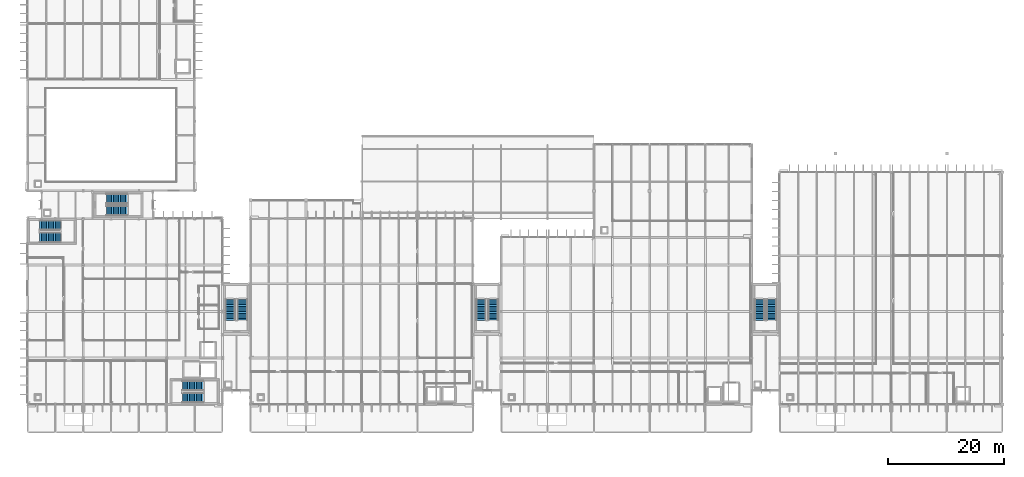
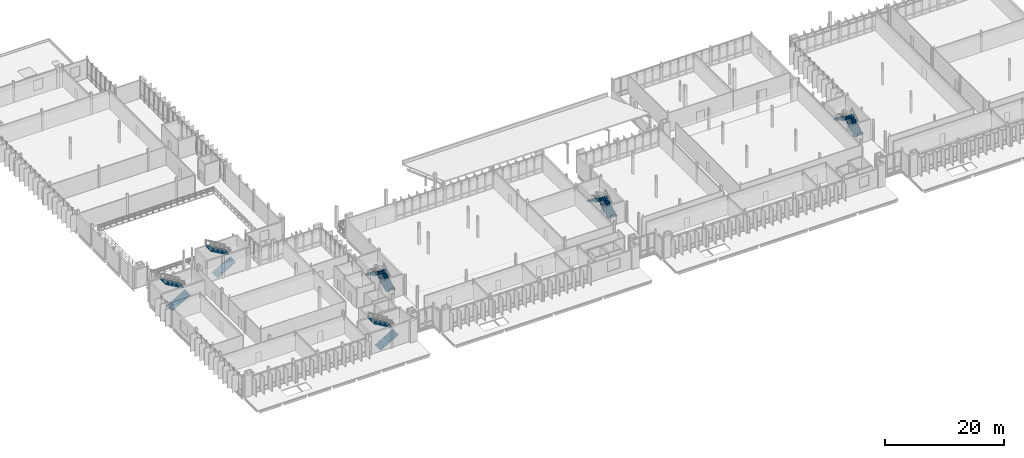
# One storey, part 67 of 107: 12 stair flights, 6 elements without a shape of their own.
"""IFC4 building model written with IfcOpenShell, lengths in metres."""

from ifc_helpers import new_model, si_unit, direction, frame, origin, place, context, subcontext, project, spatial, polyline, outline, extrude, material, type_object, element, aggregate, save


model = new_model("IFC4")

# Units and contexts
model_context = context("Model", 3, precision=1e-05, world=origin(), true_north=direction((0.0, 1.0)))
body_context = subcontext(model_context, "Body", "Model", "MODEL_VIEW")
ifc_project = project(units=[si_unit("LENGTHUNIT", "METRE"), si_unit("AREAUNIT", "SQUARE_METRE"), si_unit("VOLUMEUNIT", "CUBIC_METRE"), si_unit("PLANEANGLEUNIT", "RADIAN"), si_unit("MASSUNIT", "GRAM", prefix="KILO")], contexts=[model_context])

# Site, building, storey
site_placement = place(None, origin())
site = spatial("IfcSite", under=ifc_project, at=site_placement, CompositionType="ELEMENT")
building_placement = place(site_placement, origin())
building = spatial("IfcBuilding", under=site, at=building_placement, Name="Dunescarp Central Library", CompositionType="ELEMENT")
storey_placement = place(building_placement, frame((0.0, 0.0, 5.10009765625)))
storey = spatial("IfcBuildingStorey", under=building, at=storey_placement, Name="L01", CompositionType="ELEMENT", Elevation=5.10009765625)

# Stair, stair flights
ifc_material = material(Name="Concrete C35/45", Category="concrete")
stair_type = type_object("IfcStairType", Name="ARC-STR-TYP", PredefinedType="HALF_TURN_STAIR", material=ifc_material)
stair_1_placement = place(storey_placement, origin())
stair_1 = element("IfcStair", 1, at=stair_1_placement, inside=storey, type_object=stair_type, Name="L01 Protected escape stair ST-1", PredefinedType="HALF_TURN_STAIR")
stair_flight_type = type_object("IfcStairFlightType", Name="ARC-FLT-TYP", PredefinedType="STRAIGHT", material=ifc_material)
stair_flight_1_placement = place(storey_placement, frame((26.699951171875, 5.9599609375, 0.0), z_axis=(0.0, 0.0, 1.0), x_axis=(1.0, 0.0, 0.0)))
stair_flight_1 = element("IfcStairFlight", 2, at=stair_flight_1_placement, type_object=stair_flight_type, Name="ST-1 flight 1", NumberOfRisers=13, NumberOfTreads=12, PredefinedType="STRAIGHT", RiserHeight=0.173076923, TreadLength=0.3, context=body_context, shape_type="SweptSolid", body=[
    extrude(outline(polyline([(0.0, 0.0), (0.0, 0.173095703125), (0.300048828125, 0.173095703125), (0.300048828125, 0.34619140625), (0.60009765625, 0.34619140625), (0.60009765625, 0.519287109375), (0.89990234375, 0.519287109375), (0.89990234375, 0.6923828125), (1.199951171875, 0.6923828125), (1.199951171875, 0.865478515625), (1.5, 0.865478515625), (1.5, 1.03857421875), (1.800048828125, 1.03857421875), (1.800048828125, 1.21142578125), (2.10009765625, 1.21142578125), (2.10009765625, 1.384521484375), (2.39990234375, 1.384521484375), (2.39990234375, 1.5576171875), (2.699951171875, 1.5576171875), (2.699951171875, 1.730712890625), (3.0, 1.730712890625), (3.0, 1.90380859375), (3.300048828125, 1.90380859375), (3.300048828125, 2.076904296875), (3.60009765625, 2.076904296875), (3.60009765625, 2.25), (3.60009765625, 1.869140625), (0.360107421875, 0.0), (0.0, 0.0)])), frame((0.0, 0.85986328125, 0.0), z_axis=(0.0, -1.0, 0.0), x_axis=(1.0, 0.0, 0.0)), (0.0, 0.0, 1.0), 1.719970703125),
])
stair_flight_2_placement = place(storey_placement, frame((30.300048828125, 8.0400390625, 2.25), z_axis=(0.0, 0.0, 1.0), x_axis=(-1.0, 0.0, 0.0)))
stair_flight_2 = element("IfcStairFlight", 3, at=stair_flight_2_placement, type_object=stair_flight_type, Name="ST-1 flight 2", NumberOfRisers=13, NumberOfTreads=12, PredefinedType="STRAIGHT", RiserHeight=0.173076923, TreadLength=0.3, context=body_context, shape_type="SweptSolid", body=[
    extrude(outline(polyline([(0.0, 0.0), (0.0, 0.173095703125), (0.300048828125, 0.173095703125), (0.300048828125, 0.34619140625), (0.60009765625, 0.34619140625), (0.60009765625, 0.519287109375), (0.89990234375, 0.519287109375), (0.89990234375, 0.6923828125), (1.199951171875, 0.6923828125), (1.199951171875, 0.865478515625), (1.5, 0.865478515625), (1.5, 1.03857421875), (1.800048828125, 1.03857421875), (1.800048828125, 1.21142578125), (2.10009765625, 1.21142578125), (2.10009765625, 1.384521484375), (2.39990234375, 1.384521484375), (2.39990234375, 1.5576171875), (2.699951171875, 1.5576171875), (2.699951171875, 1.730712890625), (3.0, 1.730712890625), (3.0, 1.90380859375), (3.300048828125, 1.90380859375), (3.300048828125, 2.076904296875), (3.60009765625, 2.076904296875), (3.60009765625, 2.25), (3.60009765625, 1.869140625), (0.360107421875, 0.0), (0.0, 0.0)])), frame((0.0, 0.85986328125, 0.0), z_axis=(0.0, -1.0, 0.0), x_axis=(1.0, 0.0, 0.0)), (0.0, 0.0, 1.0), 1.719970703125),
])
aggregate(stair_1, [stair_flight_1, stair_flight_2])

stair_2_placement = place(storey_placement, origin())
stair_2 = element("IfcStair", 4, at=stair_2_placement, inside=storey, type_object=stair_type, Name="L01 Protected escape stair ST-6", PredefinedType="HALF_TURN_STAIR")
stair_flight_3_placement = place(storey_placement, frame((2.10009765625, 33.56005859375, 0.0), z_axis=(0.0, 0.0, 1.0), x_axis=(1.0, 0.0, 0.0)))
stair_flight_3 = element("IfcStairFlight", 5, at=stair_flight_3_placement, type_object=stair_flight_type, Name="ST-6 flight 1", NumberOfRisers=13, NumberOfTreads=12, PredefinedType="STRAIGHT", RiserHeight=0.173076923, TreadLength=0.3, context=body_context, shape_type="SweptSolid", body=[
    extrude(outline(polyline([(0.0, 0.0), (0.0, 0.173095703125), (0.300048828125, 0.173095703125), (0.300048828125, 0.34619140625), (0.60009765625, 0.34619140625), (0.60009765625, 0.519287109375), (0.89990234375, 0.519287109375), (0.89990234375, 0.6923828125), (1.199951171875, 0.6923828125), (1.199951171875, 0.865478515625), (1.5, 0.865478515625), (1.5, 1.03857421875), (1.800048828125, 1.03857421875), (1.800048828125, 1.21142578125), (2.10009765625, 1.21142578125), (2.10009765625, 1.384521484375), (2.39990234375, 1.384521484375), (2.39990234375, 1.5576171875), (2.699951171875, 1.5576171875), (2.699951171875, 1.730712890625), (3.0, 1.730712890625), (3.0, 1.90380859375), (3.300048828125, 1.90380859375), (3.300048828125, 2.076904296875), (3.60009765625, 2.076904296875), (3.60009765625, 2.25), (3.60009765625, 1.869140625), (0.360107421875, 0.0), (0.0, 0.0)])), frame((0.0, 0.85986328125, 0.0), z_axis=(0.0, -1.0, 0.0), x_axis=(1.0, 0.0, 0.0)), (0.0, 0.0, 1.0), 1.719970703125),
])
stair_flight_4_placement = place(storey_placement, frame((5.699951171875, 35.639892578125, 2.25), z_axis=(0.0, 0.0, 1.0), x_axis=(-1.0, 0.0, 0.0)))
stair_flight_4 = element("IfcStairFlight", 6, at=stair_flight_4_placement, type_object=stair_flight_type, Name="ST-6 flight 2", NumberOfRisers=13, NumberOfTreads=12, PredefinedType="STRAIGHT", RiserHeight=0.173076923, TreadLength=0.3, context=body_context, shape_type="SweptSolid", body=[
    extrude(outline(polyline([(0.0, 0.0), (0.0, 0.173095703125), (0.300048828125, 0.173095703125), (0.300048828125, 0.34619140625), (0.60009765625, 0.34619140625), (0.60009765625, 0.519287109375), (0.89990234375, 0.519287109375), (0.89990234375, 0.6923828125), (1.199951171875, 0.6923828125), (1.199951171875, 0.865478515625), (1.5, 0.865478515625), (1.5, 1.03857421875), (1.800048828125, 1.03857421875), (1.800048828125, 1.21142578125), (2.10009765625, 1.21142578125), (2.10009765625, 1.384521484375), (2.39990234375, 1.384521484375), (2.39990234375, 1.5576171875), (2.699951171875, 1.5576171875), (2.699951171875, 1.730712890625), (3.0, 1.730712890625), (3.0, 1.90380859375), (3.300048828125, 1.90380859375), (3.300048828125, 2.076904296875), (3.60009765625, 2.076904296875), (3.60009765625, 2.25), (3.60009765625, 1.869140625), (0.360107421875, 0.0), (0.0, 0.0)])), frame((0.0, 0.85986328125, 0.0), z_axis=(0.0, -1.0, 0.0), x_axis=(1.0, 0.0, 0.0)), (0.0, 0.0, 1.0), 1.719970703125),
])
aggregate(stair_2, [stair_flight_3, stair_flight_4])

stair_3_placement = place(storey_placement, origin())
stair_3 = element("IfcStair", 7, at=stair_3_placement, inside=storey, type_object=stair_type, Name="L01 Protected escape stair ST-2", PredefinedType="HALF_TURN_STAIR")
stair_flight_5_placement = place(storey_placement, frame((37.0400390625, 19.300048828125, 0.0), z_axis=(0.0, 0.0, 1.0), x_axis=(0.0, 1.0, 0.0)))
stair_flight_5 = element("IfcStairFlight", 8, at=stair_flight_5_placement, type_object=stair_flight_type, Name="ST-2 flight 1", NumberOfRisers=13, NumberOfTreads=12, PredefinedType="STRAIGHT", RiserHeight=0.173076923, TreadLength=0.3, context=body_context, shape_type="SweptSolid", body=[
    extrude(outline(polyline([(0.0, 0.0), (0.0, 0.173095703125), (0.300048828125, 0.173095703125), (0.300048828125, 0.34619140625), (0.60009765625, 0.34619140625), (0.60009765625, 0.519287109375), (0.89990234375, 0.519287109375), (0.89990234375, 0.6923828125), (1.199951171875, 0.6923828125), (1.199951171875, 0.865478515625), (1.5, 0.865478515625), (1.5, 1.03857421875), (1.800048828125, 1.03857421875), (1.800048828125, 1.21142578125), (2.10009765625, 1.21142578125), (2.10009765625, 1.384521484375), (2.39990234375, 1.384521484375), (2.39990234375, 1.5576171875), (2.699951171875, 1.5576171875), (2.699951171875, 1.730712890625), (3.0, 1.730712890625), (3.0, 1.90380859375), (3.300048828125, 1.90380859375), (3.300048828125, 2.076904296875), (3.60009765625, 2.076904296875), (3.60009765625, 2.25), (3.60009765625, 1.869140625), (0.360107421875, 0.0), (0.0, 0.0)])), frame((0.0, 0.85986328125, 0.0), z_axis=(0.0, -1.0, 0.0), x_axis=(1.0, 0.0, 0.0)), (0.0, 0.0, 1.0), 1.719970703125),
])
stair_flight_6_placement = place(storey_placement, frame((34.9599609375, 22.89990234375, 2.25), z_axis=(0.0, 0.0, 1.0), x_axis=(0.0, -1.0, 0.0)))
stair_flight_6 = element("IfcStairFlight", 9, at=stair_flight_6_placement, type_object=stair_flight_type, Name="ST-2 flight 2", NumberOfRisers=13, NumberOfTreads=12, PredefinedType="STRAIGHT", RiserHeight=0.173076923, TreadLength=0.3, context=body_context, shape_type="SweptSolid", body=[
    extrude(outline(polyline([(0.0, 0.0), (0.0, 0.173095703125), (0.300048828125, 0.173095703125), (0.300048828125, 0.34619140625), (0.60009765625, 0.34619140625), (0.60009765625, 0.519287109375), (0.89990234375, 0.519287109375), (0.89990234375, 0.6923828125), (1.199951171875, 0.6923828125), (1.199951171875, 0.865478515625), (1.5, 0.865478515625), (1.5, 1.03857421875), (1.800048828125, 1.03857421875), (1.800048828125, 1.21142578125), (2.10009765625, 1.21142578125), (2.10009765625, 1.384521484375), (2.39990234375, 1.384521484375), (2.39990234375, 1.5576171875), (2.699951171875, 1.5576171875), (2.699951171875, 1.730712890625), (3.0, 1.730712890625), (3.0, 1.90380859375), (3.300048828125, 1.90380859375), (3.300048828125, 2.076904296875), (3.60009765625, 2.076904296875), (3.60009765625, 2.25), (3.60009765625, 1.869140625), (0.360107421875, 0.0), (0.0, 0.0)])), frame((0.0, 0.85986328125, 0.0), z_axis=(0.0, -1.0, 0.0), x_axis=(1.0, 0.0, 0.0)), (0.0, 0.0, 1.0), 1.719970703125),
])
aggregate(stair_3, [stair_flight_5, stair_flight_6])

stair_4_placement = place(storey_placement, origin())
stair_4 = element("IfcStair", 10, at=stair_4_placement, inside=storey, type_object=stair_type, Name="L01 Protected escape stair ST-3", PredefinedType="HALF_TURN_STAIR")
stair_flight_7_placement = place(storey_placement, frame((80.239990234375, 19.300048828125, 0.0), z_axis=(0.0, 0.0, 1.0), x_axis=(0.0, 1.0, 0.0)))
stair_flight_7 = element("IfcStairFlight", 11, at=stair_flight_7_placement, type_object=stair_flight_type, Name="ST-3 flight 1", NumberOfRisers=13, NumberOfTreads=12, PredefinedType="STRAIGHT", RiserHeight=0.173076923, TreadLength=0.3, context=body_context, shape_type="SweptSolid", body=[
    extrude(outline(polyline([(0.0, 0.0), (0.0, 0.173095703125), (0.300048828125, 0.173095703125), (0.300048828125, 0.34619140625), (0.60009765625, 0.34619140625), (0.60009765625, 0.519287109375), (0.89990234375, 0.519287109375), (0.89990234375, 0.6923828125), (1.199951171875, 0.6923828125), (1.199951171875, 0.865478515625), (1.5, 0.865478515625), (1.5, 1.03857421875), (1.800048828125, 1.03857421875), (1.800048828125, 1.21142578125), (2.10009765625, 1.21142578125), (2.10009765625, 1.384521484375), (2.39990234375, 1.384521484375), (2.39990234375, 1.5576171875), (2.699951171875, 1.5576171875), (2.699951171875, 1.730712890625), (3.0, 1.730712890625), (3.0, 1.90380859375), (3.300048828125, 1.90380859375), (3.300048828125, 2.076904296875), (3.60009765625, 2.076904296875), (3.60009765625, 2.25), (3.60009765625, 1.869140625), (0.360107421875, 0.0), (0.0, 0.0)])), frame((0.0, 0.85986328125, 0.0), z_axis=(0.0, -1.0, 0.0), x_axis=(1.0, 0.0, 0.0)), (0.0, 0.0, 1.0), 1.719970703125),
])
stair_flight_8_placement = place(storey_placement, frame((78.159912109375, 22.89990234375, 2.25), z_axis=(0.0, 0.0, 1.0), x_axis=(0.0, -1.0, 0.0)))
stair_flight_8 = element("IfcStairFlight", 12, at=stair_flight_8_placement, type_object=stair_flight_type, Name="ST-3 flight 2", NumberOfRisers=13, NumberOfTreads=12, PredefinedType="STRAIGHT", RiserHeight=0.173076923, TreadLength=0.3, context=body_context, shape_type="SweptSolid", body=[
    extrude(outline(polyline([(0.0, 0.0), (0.0, 0.173095703125), (0.300048828125, 0.173095703125), (0.300048828125, 0.34619140625), (0.60009765625, 0.34619140625), (0.60009765625, 0.519287109375), (0.89990234375, 0.519287109375), (0.89990234375, 0.6923828125), (1.199951171875, 0.6923828125), (1.199951171875, 0.865478515625), (1.5, 0.865478515625), (1.5, 1.03857421875), (1.800048828125, 1.03857421875), (1.800048828125, 1.21142578125), (2.10009765625, 1.21142578125), (2.10009765625, 1.384521484375), (2.39990234375, 1.384521484375), (2.39990234375, 1.5576171875), (2.699951171875, 1.5576171875), (2.699951171875, 1.730712890625), (3.0, 1.730712890625), (3.0, 1.90380859375), (3.300048828125, 1.90380859375), (3.300048828125, 2.076904296875), (3.60009765625, 2.076904296875), (3.60009765625, 2.25), (3.60009765625, 1.869140625), (0.360107421875, 0.0), (0.0, 0.0)])), frame((0.0, 0.85986328125, 0.0), z_axis=(0.0, -1.0, 0.0), x_axis=(1.0, 0.0, 0.0)), (0.0, 0.0, 1.0), 1.719970703125),
])
aggregate(stair_4, [stair_flight_7, stair_flight_8])

stair_5_placement = place(storey_placement, origin())
stair_5 = element("IfcStair", 13, at=stair_5_placement, inside=storey, type_object=stair_type, Name="L01 Protected escape stair ST-5", PredefinedType="HALF_TURN_STAIR")
stair_flight_9_placement = place(storey_placement, frame((128.239990234375, 19.300048828125, 0.0), z_axis=(0.0, 0.0, 1.0), x_axis=(0.0, 1.0, 0.0)))
stair_flight_9 = element("IfcStairFlight", 14, at=stair_flight_9_placement, type_object=stair_flight_type, Name="ST-5 flight 1", NumberOfRisers=13, NumberOfTreads=12, PredefinedType="STRAIGHT", RiserHeight=0.173076923, TreadLength=0.3, context=body_context, shape_type="SweptSolid", body=[
    extrude(outline(polyline([(0.0, 0.0), (0.0, 0.173095703125), (0.300048828125, 0.173095703125), (0.300048828125, 0.34619140625), (0.60009765625, 0.34619140625), (0.60009765625, 0.519287109375), (0.89990234375, 0.519287109375), (0.89990234375, 0.6923828125), (1.199951171875, 0.6923828125), (1.199951171875, 0.865478515625), (1.5, 0.865478515625), (1.5, 1.03857421875), (1.800048828125, 1.03857421875), (1.800048828125, 1.21142578125), (2.10009765625, 1.21142578125), (2.10009765625, 1.384521484375), (2.39990234375, 1.384521484375), (2.39990234375, 1.5576171875), (2.699951171875, 1.5576171875), (2.699951171875, 1.730712890625), (3.0, 1.730712890625), (3.0, 1.90380859375), (3.300048828125, 1.90380859375), (3.300048828125, 2.076904296875), (3.60009765625, 2.076904296875), (3.60009765625, 2.25), (3.60009765625, 1.869140625), (0.360107421875, 0.0), (0.0, 0.0)])), frame((0.0, 0.85986328125, 0.0), z_axis=(0.0, -1.0, 0.0), x_axis=(1.0, 0.0, 0.0)), (0.0, 0.0, 1.0), 1.719970703125),
])
stair_flight_10_placement = place(storey_placement, frame((126.159912109375, 22.89990234375, 2.25), z_axis=(0.0, 0.0, 1.0), x_axis=(0.0, -1.0, 0.0)))
stair_flight_10 = element("IfcStairFlight", 15, at=stair_flight_10_placement, type_object=stair_flight_type, Name="ST-5 flight 2", NumberOfRisers=13, NumberOfTreads=12, PredefinedType="STRAIGHT", RiserHeight=0.173076923, TreadLength=0.3, context=body_context, shape_type="SweptSolid", body=[
    extrude(outline(polyline([(0.0, 0.0), (0.0, 0.173095703125), (0.300048828125, 0.173095703125), (0.300048828125, 0.34619140625), (0.60009765625, 0.34619140625), (0.60009765625, 0.519287109375), (0.89990234375, 0.519287109375), (0.89990234375, 0.6923828125), (1.199951171875, 0.6923828125), (1.199951171875, 0.865478515625), (1.5, 0.865478515625), (1.5, 1.03857421875), (1.800048828125, 1.03857421875), (1.800048828125, 1.21142578125), (2.10009765625, 1.21142578125), (2.10009765625, 1.384521484375), (2.39990234375, 1.384521484375), (2.39990234375, 1.5576171875), (2.699951171875, 1.5576171875), (2.699951171875, 1.730712890625), (3.0, 1.730712890625), (3.0, 1.90380859375), (3.300048828125, 1.90380859375), (3.300048828125, 2.076904296875), (3.60009765625, 2.076904296875), (3.60009765625, 2.25), (3.60009765625, 1.869140625), (0.360107421875, 0.0), (0.0, 0.0)])), frame((0.0, 0.85986328125, 0.0), z_axis=(0.0, -1.0, 0.0), x_axis=(1.0, 0.0, 0.0)), (0.0, 0.0, 1.0), 1.719970703125),
])
aggregate(stair_5, [stair_flight_9, stair_flight_10])

stair_6_placement = place(storey_placement, origin())
stair_6 = element("IfcStair", 16, at=stair_6_placement, inside=storey, type_object=stair_type, Name="L01 Protected escape stair ST-4", PredefinedType="HALF_TURN_STAIR")
stair_flight_11_placement = place(storey_placement, frame((13.60009765625, 38.159912109375, 0.0), z_axis=(0.0, 0.0, 1.0), x_axis=(1.0, 0.0, 0.0)))
stair_flight_11 = element("IfcStairFlight", 17, at=stair_flight_11_placement, type_object=stair_flight_type, Name="ST-4 flight 1", NumberOfRisers=13, NumberOfTreads=12, PredefinedType="STRAIGHT", RiserHeight=0.173076923, TreadLength=0.3, context=body_context, shape_type="SweptSolid", body=[
    extrude(outline(polyline([(0.0, 0.0), (0.0, 0.173095703125), (0.300048828125, 0.173095703125), (0.300048828125, 0.34619140625), (0.60009765625, 0.34619140625), (0.60009765625, 0.519287109375), (0.89990234375, 0.519287109375), (0.89990234375, 0.6923828125), (1.199951171875, 0.6923828125), (1.199951171875, 0.865478515625), (1.5, 0.865478515625), (1.5, 1.03857421875), (1.800048828125, 1.03857421875), (1.800048828125, 1.21142578125), (2.10009765625, 1.21142578125), (2.10009765625, 1.384521484375), (2.39990234375, 1.384521484375), (2.39990234375, 1.5576171875), (2.699951171875, 1.5576171875), (2.699951171875, 1.730712890625), (3.0, 1.730712890625), (3.0, 1.90380859375), (3.300048828125, 1.90380859375), (3.300048828125, 2.076904296875), (3.60009765625, 2.076904296875), (3.60009765625, 2.25), (3.60009765625, 1.869140625), (0.360107421875, 0.0), (0.0, 0.0)])), frame((0.0, 0.85986328125, 0.0), z_axis=(0.0, -1.0, 0.0), x_axis=(1.0, 0.0, 0.0)), (0.0, 0.0, 1.0), 1.719970703125),
])
stair_flight_12_placement = place(storey_placement, frame((17.199951171875, 40.239990234375, 2.25), z_axis=(0.0, 0.0, 1.0), x_axis=(-1.0, 0.0, 0.0)))
stair_flight_12 = element("IfcStairFlight", 18, at=stair_flight_12_placement, type_object=stair_flight_type, Name="ST-4 flight 2", NumberOfRisers=13, NumberOfTreads=12, PredefinedType="STRAIGHT", RiserHeight=0.173076923, TreadLength=0.3, context=body_context, shape_type="SweptSolid", body=[
    extrude(outline(polyline([(0.0, 0.0), (0.0, 0.173095703125), (0.300048828125, 0.173095703125), (0.300048828125, 0.34619140625), (0.60009765625, 0.34619140625), (0.60009765625, 0.519287109375), (0.89990234375, 0.519287109375), (0.89990234375, 0.6923828125), (1.199951171875, 0.6923828125), (1.199951171875, 0.865478515625), (1.5, 0.865478515625), (1.5, 1.03857421875), (1.800048828125, 1.03857421875), (1.800048828125, 1.21142578125), (2.10009765625, 1.21142578125), (2.10009765625, 1.384521484375), (2.39990234375, 1.384521484375), (2.39990234375, 1.5576171875), (2.699951171875, 1.5576171875), (2.699951171875, 1.730712890625), (3.0, 1.730712890625), (3.0, 1.90380859375), (3.300048828125, 1.90380859375), (3.300048828125, 2.076904296875), (3.60009765625, 2.076904296875), (3.60009765625, 2.25), (3.60009765625, 1.869140625), (0.360107421875, 0.0), (0.0, 0.0)])), frame((0.0, 0.85986328125, 0.0), z_axis=(0.0, -1.0, 0.0), x_axis=(1.0, 0.0, 0.0)), (0.0, 0.0, 1.0), 1.719970703125),
])
aggregate(stair_6, [stair_flight_11, stair_flight_12])

save(model, "model.ifc")
